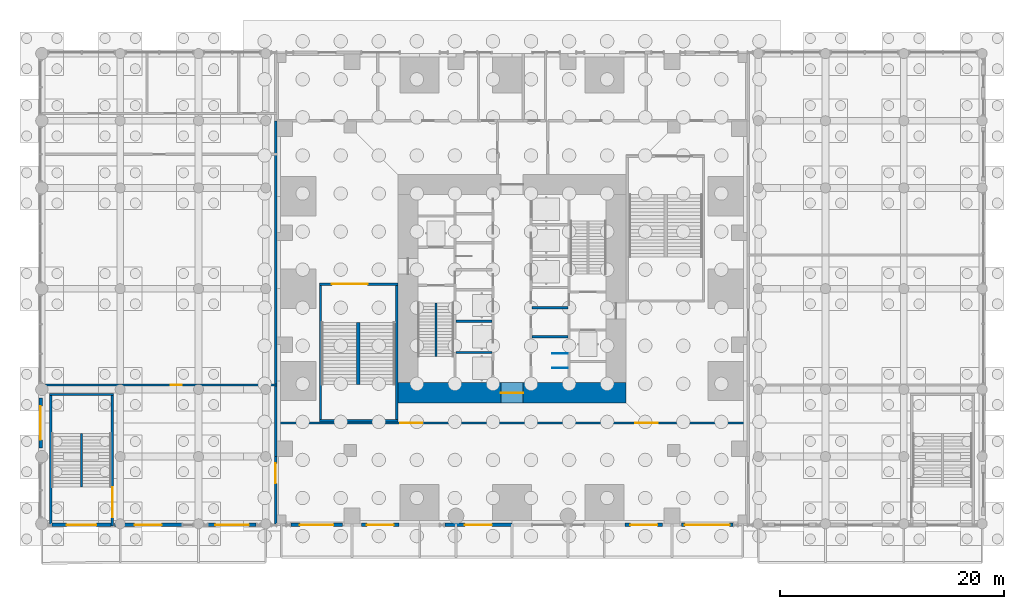
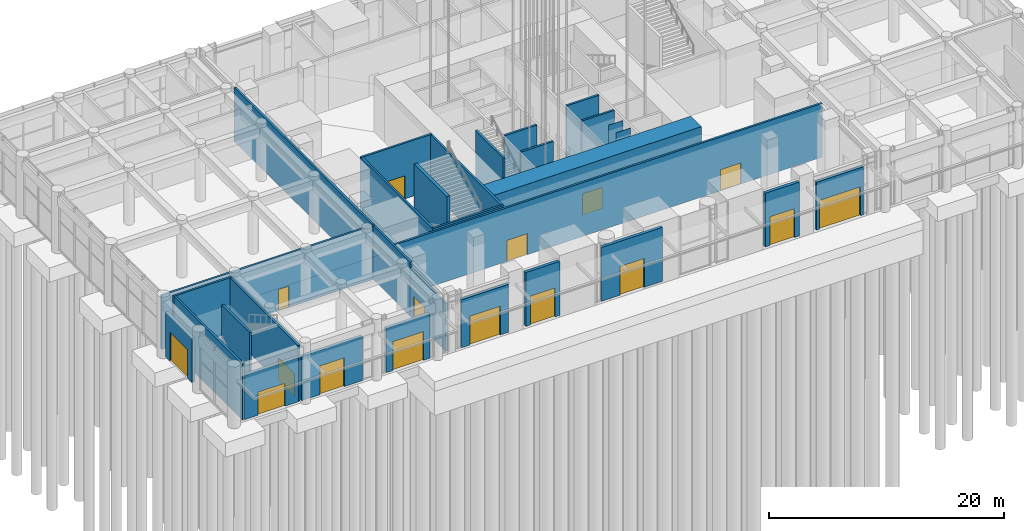
# One storey, part 22 of 46: 30 walls, 16 doors, 16 openings.
"""IFC4 building model written with IfcOpenShell, lengths in metres."""

from ifc_helpers import new_model, si_unit, direction, frame, frame_2d, origin, place, context, subcontext, project, spatial, rectangle, extrude, material, layer, layer_set, type_object, element, fill, save


model = new_model("IFC4")

# Units and contexts
model_context = context("Model", 3, precision=1e-05, world=origin(), true_north=direction((0.0, 1.0)))
body_context = subcontext(model_context, "Body", "Model", "MODEL_VIEW")
ifc_project = project(units=[si_unit("LENGTHUNIT", "METRE"), si_unit("AREAUNIT", "SQUARE_METRE"), si_unit("VOLUMEUNIT", "CUBIC_METRE"), si_unit("PLANEANGLEUNIT", "RADIAN"), si_unit("MASSUNIT", "GRAM", prefix="KILO")], contexts=[model_context])

# Site, building, storey
site_placement = place(None, origin())
site = spatial("IfcSite", under=ifc_project, at=site_placement, CompositionType="ELEMENT")
building_placement = place(site_placement, origin())
building = spatial("IfcBuilding", under=site, at=building_placement, Name="Svetlomir Tower", CompositionType="ELEMENT")
storey_placement = place(building_placement, origin())
storey = spatial("IfcBuildingStorey", under=building, at=storey_placement, Name="L00", CompositionType="ELEMENT", Elevation=0.0)

# Wall, opening, door
ifc_material_1 = material(Name="Gypsum board on twin steel studs", Category="steel")
ifc_layer_1 = layer(ifc_material_1, 0.199951171875)
ifc_layer_set_1 = layer_set([ifc_layer_1], Name="Gypsum board on twin steel studs")
wall_type_1 = type_object("IfcWallType", Name="ACOUSTIC PARTITION 200", PredefinedType="PARTITIONING", material=ifc_layer_set_1)
wall_1_placement = place(storey_placement, frame((-21.0, 12.39990234375, 0.0), z_axis=(0.0, 0.0, 1.0), x_axis=(1.0, 0.0, 0.0)))
wall_1 = element("IfcWall", 1, at=wall_1_placement, inside=storey, type_object=wall_type_1, Name="Partition L00", PredefinedType="PARTITIONING", context=body_context, shape_type="SweptSolid", body=[
    extrude(rectangle(XDim=21.0, YDim=0.199951171875, at=frame_2d((10.5, 0.0))), origin(), (0.0, 0.0, 1.0), 5.60009765625),
])
opening_1_placement = place(wall_1_placement, frame((11.5, 0.0, 0.0)))
opening_1 = element("IfcOpeningElement", 2, at=opening_1_placement, cuts=wall_1, Name="Opening DR", PredefinedType="OPENING", context=body_context, shape_type="SweptSolid", body=[
    extrude(rectangle(XDim=1.0, YDim=2.199951171875, at=frame_2d((0.5, 1.10009765625))), frame((0.0, 0.10986328125, 0.0), z_axis=(0.0, -1.0, 0.0), x_axis=(1.0, 0.0, 0.0)), (0.0, 0.0, 1.0), 0.219970703125),
])
ifc_material_2 = material(Name="Timber door, glazed side light", Category="wood")
door_type_1 = type_object("IfcDoorType", Name="DOOR DR 1000x2200", OperationType="SINGLE_SWING_LEFT", PredefinedType="DOOR", material=ifc_material_2)
door_1_placement = place(opening_1_placement, origin())
door_1 = element("IfcDoor", 3, at=door_1_placement, inside=storey, type_object=door_type_1, Name="Cafe door L00", OperationType="SINGLE_SWING_RIGHT", OverallHeight=2.199951171875, OverallWidth=1.0, PredefinedType="DOOR", context=body_context, shape_type="SweptSolid", body=[
    extrude(rectangle(XDim=1.0, YDim=2.199951171875, at=frame_2d((0.5, 1.10009765625))), frame((0.0, 0.02490234375, 0.0), z_axis=(0.0, -1.0, 0.0), x_axis=(1.0, 0.0, 0.0)), (0.0, 0.0, 1.0), 0.050048828125),
])
fill(opening_1, door_1)

# Wall, openings, doors
wall_2_placement = place(storey_placement, frame((0.0, 9.0, 0.0), z_axis=(0.0, 0.0, 1.0), x_axis=(1.0, 0.0, 0.0)))
wall_2 = element("IfcWall", 4, at=wall_2_placement, inside=storey, type_object=wall_type_1, Name="Partition L00", PredefinedType="PARTITIONING", context=body_context, shape_type="SweptSolid", body=[
    extrude(rectangle(XDim=42.0, YDim=0.199951171875, at=frame_2d((21.0, 0.0))), origin(), (0.0, 0.0, 1.0), 5.60009765625),
])
opening_2_placement = place(wall_2_placement, frame((11.0, 0.0, 0.0)))
opening_2 = element("IfcOpeningElement", 5, at=opening_2_placement, cuts=wall_2, Name="Opening DL", PredefinedType="OPENING", context=body_context, shape_type="SweptSolid", body=[
    extrude(rectangle(XDim=2.0, YDim=2.199951171875, at=frame_2d((1.0, 1.10009765625))), frame((0.0, 0.10986328125, 0.0), z_axis=(0.0, -1.0, 0.0), x_axis=(1.0, 0.0, 0.0)), (0.0, 0.0, 1.0), 0.219970703125),
])
opening_3_placement = place(wall_2_placement, frame((32.0, 0.0, 0.0)))
opening_3 = element("IfcOpeningElement", 6, at=opening_3_placement, cuts=wall_2, Name="Opening DL", PredefinedType="OPENING", context=body_context, shape_type="SweptSolid", body=[
    extrude(rectangle(XDim=2.0, YDim=2.199951171875, at=frame_2d((1.0, 1.10009765625))), frame((0.0, 0.10986328125, 0.0), z_axis=(0.0, -1.0, 0.0), x_axis=(1.0, 0.0, 0.0)), (0.0, 0.0, 1.0), 0.219970703125),
])
ifc_material_3 = material(Name="Steel fire door", Category="steel")
door_type_2 = type_object("IfcDoorType", Name="DOOR DL 2000x2200", OperationType="DOUBLE_DOOR_SINGLE_SWING", PredefinedType="DOOR", material=ifc_material_3)
door_2_placement = place(opening_2_placement, origin())
door_2 = element("IfcDoor", 7, at=door_2_placement, inside=storey, type_object=door_type_2, Name="Concourse lobby door L00", OperationType="DOUBLE_DOOR_SINGLE_SWING", OverallHeight=2.199951171875, OverallWidth=2.0, PredefinedType="DOOR", context=body_context, shape_type="SweptSolid", body=[
    extrude(rectangle(XDim=2.0, YDim=2.199951171875, at=frame_2d((1.0, 1.10009765625))), frame((0.0, 0.02490234375, 0.0), z_axis=(0.0, -1.0, 0.0), x_axis=(1.0, 0.0, 0.0)), (0.0, 0.0, 1.0), 0.050048828125),
])
fill(opening_2, door_2)
door_3_placement = place(opening_3_placement, origin())
door_3 = element("IfcDoor", 8, at=door_3_placement, inside=storey, type_object=door_type_2, Name="Concourse lobby door L00", OperationType="DOUBLE_DOOR_SINGLE_SWING", OverallHeight=2.199951171875, OverallWidth=2.0, PredefinedType="DOOR", context=body_context, shape_type="SweptSolid", body=[
    extrude(rectangle(XDim=2.0, YDim=2.199951171875, at=frame_2d((1.0, 1.10009765625))), frame((0.0, 0.02490234375, 0.0), z_axis=(0.0, -1.0, 0.0), x_axis=(1.0, 0.0, 0.0)), (0.0, 0.0, 1.0), 0.050048828125),
])
fill(opening_3, door_3)

# Walls
ifc_material_4 = material(Name="Concrete C60/75", Category="concrete")
ifc_layer_2 = layer(ifc_material_4, 0.199951171875)
ifc_layer_set_2 = layer_set([ifc_layer_2], Name="Concrete C60/75")
wall_type_2 = type_object("IfcWallType", Name="CORE INNER WALL 200", PredefinedType="SHEAR", material=ifc_layer_set_2)
for number, where, z_axis, x_axis, name in (
    (9, (16.0, 15.300048828125, 0.0), (0.0, 0.0, 1.0), (1.0, 0.0, 0.0), "Core inner wall 16-19.2/15.3 L00"),
    (10, (16.0, 18.10009765625, 0.0), (0.0, 0.0, 1.0), (1.0, 0.0, 0.0), "Core inner wall 16-19.2/18.1 L00"),
    (11, (22.800048828125, 16.699951171875, 0.0), (0.0, 0.0, 1.0), (1.0, 0.0, 0.0), "Core inner wall 22.8-26/16.7 L00"),
    (12, (22.800048828125, 19.300048828125, 0.0), (0.0, 0.0, 1.0), (1.0, 0.0, 0.0), "Core inner wall 22.8-26/19.3 L00"),
):
    element("IfcWall", number, at=place(storey_placement, frame(where, z_axis=z_axis, x_axis=x_axis)), inside=storey, type_object=wall_type_2, Name=name, PredefinedType="SHEAR", context=body_context, shape_type="SweptSolid", body=[
        extrude(rectangle(XDim=3.199951171875, YDim=0.199951171875, at=frame_2d((1.60009765625, 0.0))), origin(), (0.0, 0.0, 1.0), 5.800048828125),
    ])

# Wall, opening, door
ifc_material_5 = material(Name="Concrete C60/75", Category="concrete")
ifc_layer_3 = layer(ifc_material_5, 1.800048828125)
ifc_layer_set_3 = layer_set([ifc_layer_3], Name="Concrete C60/75")
wall_type_3 = type_object("IfcWallType", Name="CORE WALL 1800", PredefinedType="SHEAR", material=ifc_layer_set_3)
wall_3_placement = place(storey_placement, frame((10.800048828125, 11.699951171875, 0.0), z_axis=(0.0, 0.0, 1.0), x_axis=(1.0, 0.0, 0.0)))
wall_3 = element("IfcWall", 13, at=wall_3_placement, inside=storey, type_object=wall_type_3, Name="Core wall south L00", PredefinedType="SHEAR", context=body_context, shape_type="SweptSolid", body=[
    extrude(rectangle(XDim=20.39990234375, YDim=1.800048828125, at=frame_2d((10.199951171875, 0.0))), origin(), (0.0, 0.0, 1.0), 5.800048828125),
])
opening_4_placement = place(wall_3_placement, frame((9.199951171875, 0.0, 0.0)))
opening_4 = element("IfcOpeningElement", 14, at=opening_4_placement, cuts=wall_3, Name="Opening DL", PredefinedType="OPENING", context=body_context, shape_type="SweptSolid", body=[
    extrude(rectangle(XDim=2.0, YDim=2.199951171875, at=frame_2d((1.0, 1.10009765625))), frame((0.0, 0.91015625, 0.0), z_axis=(0.0, -1.0, 0.0), x_axis=(1.0, 0.0, 0.0)), (0.0, 0.0, 1.0), 1.820068359375),
])
door_4_placement = place(opening_4_placement, origin())
door_4 = element("IfcDoor", 15, at=door_4_placement, inside=storey, type_object=door_type_2, Name="Lift lobby south door L00", OperationType="DOUBLE_DOOR_SINGLE_SWING", OverallHeight=2.199951171875, OverallWidth=2.0, PredefinedType="DOOR", context=body_context, shape_type="SweptSolid", body=[
    extrude(rectangle(XDim=2.0, YDim=2.199951171875, at=frame_2d((1.0, 1.10009765625))), frame((0.0, 0.02490234375, 0.0), z_axis=(0.0, -1.0, 0.0), x_axis=(1.0, 0.0, 0.0)), (0.0, 0.0, 1.0), 0.050048828125),
])
fill(opening_4, door_4)

ifc_material_6 = material(Name="Bronze anodised aluminium glazed screen", Category="aluminium")
ifc_layer_4 = layer(ifc_material_6, 0.300048828125)
ifc_layer_set_4 = layer_set([ifc_layer_4], Name="Bronze anodised aluminium glazed screen")
wall_type_4 = type_object("IfcWallType", Name="ENTRANCE SCREEN WALL 300", PredefinedType="USERDEFINED", material=ifc_layer_set_4)
wall_4_placement = place(storey_placement, frame((-14.800048828125, -0.10009765625, 0.0), z_axis=(0.0, 0.0, 1.0), x_axis=(-1.0, 0.0, 0.0)))
wall_4 = element("IfcWall", 16, at=wall_4_placement, inside=storey, type_object=wall_type_4, Name="Stair P3 exit", ObjectType="GLAZED SCREEN", PredefinedType="USERDEFINED", context=body_context, shape_type="SweptSolid", body=[
    extrude(rectangle(XDim=5.300048828125, YDim=0.300048828125, at=frame_2d((2.64990234375, 0.0))), origin(), (0.0, 0.0, 1.0), 4.60009765625),
])
opening_5_placement = place(wall_4_placement, frame((1.324951171875, 0.0, 0.0)))
opening_5 = element("IfcOpeningElement", 17, at=opening_5_placement, cuts=wall_4, Name="Opening XS", PredefinedType="OPENING", context=body_context, shape_type="SweptSolid", body=[
    extrude(rectangle(XDim=2.64990234375, YDim=2.39990234375, at=frame_2d((1.324951171875, 1.199951171875))), frame((0.0, 0.16015625, 0.0), z_axis=(0.0, -1.0, 0.0), x_axis=(1.0, 0.0, 0.0)), (0.0, 0.0, 1.0), 0.320068359375),
])
ifc_material_7 = material(Name="Steel fire exit door", Category="steel")
door_type_3 = type_object("IfcDoorType", Name="STAIR EXIT DOOR XS 2650x2400", OperationType="DOUBLE_DOOR_SINGLE_SWING", PredefinedType="DOOR", material=ifc_material_7)
door_5_placement = place(opening_5_placement, origin())
door_5 = element("IfcDoor", 18, at=door_5_placement, inside=storey, type_object=door_type_3, Name="Stair P3 exit door", OperationType="DOUBLE_DOOR_SINGLE_SWING", OverallHeight=2.39990234375, OverallWidth=2.64990234375, PredefinedType="DOOR", context=body_context, shape_type="SweptSolid", body=[
    extrude(rectangle(XDim=2.64990234375, YDim=2.39990234375, at=frame_2d((1.324951171875, 1.199951171875))), frame((0.0, 0.02490234375, 0.0), z_axis=(0.0, -1.0, 0.0), x_axis=(1.0, 0.0, 0.0)), (0.0, 0.0, 1.0), 0.050048828125),
])
fill(opening_5, door_5)

wall_5_placement = place(storey_placement, frame((-14.5, -0.10009765625, 0.0), z_axis=(0.0, 0.0, 1.0), x_axis=(1.0, 0.0, 0.0)))
wall_5 = element("IfcWall", 19, at=wall_5_placement, inside=storey, type_object=wall_type_4, Name="Concourse south entrance west", ObjectType="GLAZED SCREEN", PredefinedType="USERDEFINED", context=body_context, shape_type="SweptSolid", body=[
    extrude(rectangle(XDim=6.0, YDim=0.300048828125, at=frame_2d((3.0, 0.0))), origin(), (0.0, 0.0, 1.0), 4.60009765625),
])
opening_6_placement = place(wall_5_placement, frame((1.800048828125, 0.0, 0.0)))
opening_6 = element("IfcOpeningElement", 20, at=opening_6_placement, cuts=wall_5, Name="Opening ED", PredefinedType="OPENING", context=body_context, shape_type="SweptSolid", body=[
    extrude(rectangle(XDim=2.39990234375, YDim=3.0, at=frame_2d((1.199951171875, 1.5))), frame((0.0, 0.16015625, 0.0), z_axis=(0.0, -1.0, 0.0), x_axis=(1.0, 0.0, 0.0)), (0.0, 0.0, 1.0), 0.320068359375),
])
ifc_material_8 = material(Name="Bronze anodised aluminium glazed door", Category="aluminium")
door_type_4 = type_object("IfcDoorType", Name="ENTRANCE DOOR ED 2400x3000", OperationType="DOUBLE_DOOR_SLIDING", PredefinedType="DOOR", material=ifc_material_8)
door_6_placement = place(opening_6_placement, origin())
door_6 = element("IfcDoor", 21, at=door_6_placement, inside=storey, type_object=door_type_4, Name="Concourse south entrance west door", OperationType="DOUBLE_DOOR_SLIDING", OverallHeight=3.0, OverallWidth=2.39990234375, PredefinedType="DOOR", context=body_context, shape_type="SweptSolid", body=[
    extrude(rectangle(XDim=2.39990234375, YDim=3.0, at=frame_2d((1.199951171875, 1.5))), frame((0.0, 0.02490234375, 0.0), z_axis=(0.0, -1.0, 0.0), x_axis=(1.0, 0.0, 0.0)), (0.0, 0.0, 1.0), 0.050048828125),
])
fill(opening_6, door_6)

wall_6_placement = place(storey_placement, frame((-6.14990234375, -0.10009765625, 0.0), z_axis=(0.0, 0.0, 1.0), x_axis=(1.0, 0.0, 0.0)))
wall_6 = element("IfcWall", 22, at=wall_6_placement, inside=storey, type_object=wall_type_4, Name="Concourse south exit 1", ObjectType="GLAZED SCREEN", PredefinedType="USERDEFINED", context=body_context, shape_type="SweptSolid", body=[
    extrude(rectangle(XDim=4.2998046875, YDim=0.300048828125, at=frame_2d((2.14990234375, 0.0))), origin(), (0.0, 0.0, 1.0), 4.60009765625),
])
opening_7_placement = place(wall_6_placement, frame((0.64990234375, 0.0, 0.0)))
opening_7 = element("IfcOpeningElement", 23, at=opening_7_placement, cuts=wall_6, Name="Opening ES", PredefinedType="OPENING", context=body_context, shape_type="SweptSolid", body=[
    extrude(rectangle(XDim=3.0, YDim=3.0, at=frame_2d((1.5, 1.5))), frame((0.0, 0.16015625, 0.0), z_axis=(0.0, -1.0, 0.0), x_axis=(1.0, 0.0, 0.0)), (0.0, 0.0, 1.0), 0.320068359375),
])
ifc_material_9 = material(Name="Bronze anodised aluminium glazed door", Category="aluminium")
door_type_5 = type_object("IfcDoorType", Name="SLIDING ENTRANCE DOOR ES 3000x3000", OperationType="DOUBLE_DOOR_SLIDING", PredefinedType="DOOR", material=ifc_material_9)
door_7_placement = place(opening_7_placement, origin())
door_7 = element("IfcDoor", 24, at=door_7_placement, inside=storey, type_object=door_type_5, Name="Concourse south exit 1 door", OperationType="DOUBLE_DOOR_SLIDING", OverallHeight=3.0, OverallWidth=3.0, PredefinedType="DOOR", context=body_context, shape_type="SweptSolid", body=[
    extrude(rectangle(XDim=3.0, YDim=3.0, at=frame_2d((1.5, 1.5))), frame((0.0, 0.02490234375, 0.0), z_axis=(0.0, -1.0, 0.0), x_axis=(1.0, 0.0, 0.0)), (0.0, 0.0, 1.0), 0.050048828125),
])
fill(opening_7, door_7)

wall_7_placement = place(storey_placement, frame((1.25, -0.10009765625, 0.0), z_axis=(0.0, 0.0, 1.0), x_axis=(1.0, 0.0, 0.0)))
wall_7 = element("IfcWall", 25, at=wall_7_placement, inside=storey, type_object=wall_type_4, Name="Concourse south exit 2", ObjectType="GLAZED SCREEN", PredefinedType="USERDEFINED", context=body_context, shape_type="SweptSolid", body=[
    extrude(rectangle(XDim=4.60009765625, YDim=0.300048828125, at=frame_2d((2.300048828125, 0.0))), origin(), (0.0, 0.0, 1.0), 4.97998046875),
])
opening_8_placement = place(wall_7_placement, frame((0.800048828125, 0.0, 0.0)))
opening_8 = element("IfcOpeningElement", 26, at=opening_8_placement, cuts=wall_7, Name="Opening ES", PredefinedType="OPENING", context=body_context, shape_type="SweptSolid", body=[
    extrude(rectangle(XDim=3.0, YDim=3.0, at=frame_2d((1.5, 1.5))), frame((0.0, 0.16015625, 0.0), z_axis=(0.0, -1.0, 0.0), x_axis=(1.0, 0.0, 0.0)), (0.0, 0.0, 1.0), 0.320068359375),
])
door_8_placement = place(opening_8_placement, origin())
door_8 = element("IfcDoor", 27, at=door_8_placement, inside=storey, type_object=door_type_5, Name="Concourse south exit 2 door", OperationType="DOUBLE_DOOR_SLIDING", OverallHeight=3.0, OverallWidth=3.0, PredefinedType="DOOR", context=body_context, shape_type="SweptSolid", body=[
    extrude(rectangle(XDim=3.0, YDim=3.0, at=frame_2d((1.5, 1.5))), frame((0.0, 0.02490234375, 0.0), z_axis=(0.0, -1.0, 0.0), x_axis=(1.0, 0.0, 0.0)), (0.0, 0.0, 1.0), 0.050048828125),
])
fill(opening_8, door_8)

wall_8_placement = place(storey_placement, frame((7.550048828125, -0.10009765625, 0.0), z_axis=(0.0, 0.0, 1.0), x_axis=(1.0, 0.0, 0.0)))
wall_8 = element("IfcWall", 28, at=wall_8_placement, inside=storey, type_object=wall_type_4, Name="Concourse south exit 3", ObjectType="GLAZED SCREEN", PredefinedType="USERDEFINED", context=body_context, shape_type="SweptSolid", body=[
    extrude(rectangle(XDim=3.349853515625, YDim=0.300048828125, at=frame_2d((1.6748046875, 0.0))), origin(), (0.0, 0.0, 1.0), 5.60009765625),
])
opening_9_placement = place(wall_8_placement, frame((0.47509765625, 0.0, 0.0)))
opening_9 = element("IfcOpeningElement", 29, at=opening_9_placement, cuts=wall_8, Name="Opening ED", PredefinedType="OPENING", context=body_context, shape_type="SweptSolid", body=[
    extrude(rectangle(XDim=2.39990234375, YDim=3.0, at=frame_2d((1.199951171875, 1.5))), frame((0.0, 0.16015625, 0.0), z_axis=(0.0, -1.0, 0.0), x_axis=(1.0, 0.0, 0.0)), (0.0, 0.0, 1.0), 0.320068359375),
])
door_9_placement = place(opening_9_placement, origin())
door_9 = element("IfcDoor", 30, at=door_9_placement, inside=storey, type_object=door_type_4, Name="Concourse south exit 3 door", OperationType="DOUBLE_DOOR_SLIDING", OverallHeight=3.0, OverallWidth=2.39990234375, PredefinedType="DOOR", context=body_context, shape_type="SweptSolid", body=[
    extrude(rectangle(XDim=2.39990234375, YDim=3.0, at=frame_2d((1.199951171875, 1.5))), frame((0.0, 0.02490234375, 0.0), z_axis=(0.0, -1.0, 0.0), x_axis=(1.0, 0.0, 0.0)), (0.0, 0.0, 1.0), 0.050048828125),
])
fill(opening_9, door_9)

wall_9_placement = place(storey_placement, frame((15.0, -0.10009765625, 0.0), z_axis=(0.0, 0.0, 1.0), x_axis=(1.0, 0.0, 0.0)))
wall_9 = element("IfcWall", 31, at=wall_9_placement, inside=storey, type_object=wall_type_4, Name="Concourse south entrance", ObjectType="GLAZED SCREEN", PredefinedType="USERDEFINED", context=body_context, shape_type="SweptSolid", body=[
    extrude(rectangle(XDim=6.0, YDim=0.300048828125, at=frame_2d((3.0, 0.0))), origin(), (0.0, 0.0, 1.0), 5.60009765625),
])
opening_10_placement = place(wall_9_placement, frame((1.800048828125, 0.0, 0.0)))
opening_10 = element("IfcOpeningElement", 32, at=opening_10_placement, cuts=wall_9, Name="Opening ED", PredefinedType="OPENING", context=body_context, shape_type="SweptSolid", body=[
    extrude(rectangle(XDim=2.39990234375, YDim=3.0, at=frame_2d((1.199951171875, 1.5))), frame((0.0, 0.16015625, 0.0), z_axis=(0.0, -1.0, 0.0), x_axis=(1.0, 0.0, 0.0)), (0.0, 0.0, 1.0), 0.320068359375),
])
door_10_placement = place(opening_10_placement, origin())
door_10 = element("IfcDoor", 33, at=door_10_placement, inside=storey, type_object=door_type_4, Name="Concourse south entrance door", OperationType="DOUBLE_DOOR_SLIDING", OverallHeight=3.0, OverallWidth=2.39990234375, PredefinedType="DOOR", context=body_context, shape_type="SweptSolid", body=[
    extrude(rectangle(XDim=2.39990234375, YDim=3.0, at=frame_2d((1.199951171875, 1.5))), frame((0.0, 0.02490234375, 0.0), z_axis=(0.0, -1.0, 0.0), x_axis=(1.0, 0.0, 0.0)), (0.0, 0.0, 1.0), 0.050048828125),
])
fill(opening_10, door_10)

wall_10_placement = place(storey_placement, frame((31.10009765625, -0.10009765625, 0.0), z_axis=(0.0, 0.0, 1.0), x_axis=(1.0, 0.0, 0.0)))
wall_10 = element("IfcWall", 34, at=wall_10_placement, inside=storey, type_object=wall_type_4, Name="Concourse south exit 4", ObjectType="GLAZED SCREEN", PredefinedType="USERDEFINED", context=body_context, shape_type="SweptSolid", body=[
    extrude(rectangle(XDim=3.349853515625, YDim=0.300048828125, at=frame_2d((1.6748046875, 0.0))), origin(), (0.0, 0.0, 1.0), 5.60009765625),
])
opening_11_placement = place(wall_10_placement, frame((0.47509765625, 0.0, 0.0)))
opening_11 = element("IfcOpeningElement", 35, at=opening_11_placement, cuts=wall_10, Name="Opening ED", PredefinedType="OPENING", context=body_context, shape_type="SweptSolid", body=[
    extrude(rectangle(XDim=2.39990234375, YDim=3.0, at=frame_2d((1.199951171875, 1.5))), frame((0.0, 0.16015625, 0.0), z_axis=(0.0, -1.0, 0.0), x_axis=(1.0, 0.0, 0.0)), (0.0, 0.0, 1.0), 0.320068359375),
])
door_11_placement = place(opening_11_placement, origin())
door_11 = element("IfcDoor", 36, at=door_11_placement, inside=storey, type_object=door_type_4, Name="Concourse south exit 4 door", OperationType="DOUBLE_DOOR_SLIDING", OverallHeight=3.0, OverallWidth=2.39990234375, PredefinedType="DOOR", context=body_context, shape_type="SweptSolid", body=[
    extrude(rectangle(XDim=2.39990234375, YDim=3.0, at=frame_2d((1.199951171875, 1.5))), frame((0.0, 0.02490234375, 0.0), z_axis=(0.0, -1.0, 0.0), x_axis=(1.0, 0.0, 0.0)), (0.0, 0.0, 1.0), 0.050048828125),
])
fill(opening_11, door_11)

wall_11_placement = place(storey_placement, frame((36.14990234375, -0.10009765625, 0.0), z_axis=(0.0, 0.0, 1.0), x_axis=(1.0, 0.0, 0.0)))
wall_11 = element("IfcWall", 37, at=wall_11_placement, inside=storey, type_object=wall_type_4, Name="Concourse south exit 5", ObjectType="GLAZED SCREEN", PredefinedType="USERDEFINED", context=body_context, shape_type="SweptSolid", body=[
    extrude(rectangle(XDim=4.60009765625, YDim=0.300048828125, at=frame_2d((2.300048828125, 0.0))), origin(), (0.0, 0.0, 1.0), 4.97998046875),
])
opening_12_placement = place(wall_11_placement, frame((0.300048828125, 0.0, 0.0)))
opening_12 = element("IfcOpeningElement", 38, at=opening_12_placement, cuts=wall_11, Name="Opening ES2", PredefinedType="OPENING", context=body_context, shape_type="SweptSolid", body=[
    extrude(rectangle(XDim=4.0, YDim=3.0, at=frame_2d((2.0, 1.5))), frame((0.0, 0.16015625, 0.0), z_axis=(0.0, -1.0, 0.0), x_axis=(1.0, 0.0, 0.0)), (0.0, 0.0, 1.0), 0.320068359375),
])
ifc_material_10 = material(Name="Bronze anodised aluminium glazed door", Category="aluminium")
door_type_6 = type_object("IfcDoorType", Name="SLIDING ENTRANCE DOOR ES2 4000x3000", OperationType="DOUBLE_DOOR_SLIDING", PredefinedType="DOOR", material=ifc_material_10)
door_12_placement = place(opening_12_placement, origin())
door_12 = element("IfcDoor", 39, at=door_12_placement, inside=storey, type_object=door_type_6, Name="Concourse south exit 5 door", OperationType="DOUBLE_DOOR_SLIDING", OverallHeight=3.0, OverallWidth=4.0, PredefinedType="DOOR", context=body_context, shape_type="SweptSolid", body=[
    extrude(rectangle(XDim=4.0, YDim=3.0, at=frame_2d((2.0, 1.5))), frame((0.0, 0.02490234375, 0.0), z_axis=(0.0, -1.0, 0.0), x_axis=(1.0, 0.0, 0.0)), (0.0, 0.0, 1.0), 0.050048828125),
])
fill(opening_12, door_12)

wall_12_placement = place(storey_placement, frame((-21.10009765625, 11.25, 0.0), z_axis=(0.0, 0.0, 1.0), x_axis=(0.0, -1.0, 0.0)))
wall_12 = element("IfcWall", 40, at=wall_12_placement, inside=storey, type_object=wall_type_4, Name="Concourse west entrance", ObjectType="GLAZED SCREEN", PredefinedType="USERDEFINED", context=body_context, shape_type="SweptSolid", body=[
    extrude(rectangle(XDim=4.5, YDim=0.300048828125, at=frame_2d((2.25, 0.0))), origin(), (0.0, 0.0, 1.0), 4.60009765625),
])
opening_13_placement = place(wall_12_placement, frame((0.75, 0.0, 0.0)))
opening_13 = element("IfcOpeningElement", 41, at=opening_13_placement, cuts=wall_12, Name="Opening ES", PredefinedType="OPENING", context=body_context, shape_type="SweptSolid", body=[
    extrude(rectangle(XDim=3.0, YDim=3.0, at=frame_2d((1.5, 1.5))), frame((0.0, 0.16015625, 0.0), z_axis=(0.0, -1.0, 0.0), x_axis=(1.0, 0.0, 0.0)), (0.0, 0.0, 1.0), 0.320068359375),
])
door_13_placement = place(opening_13_placement, origin())
door_13 = element("IfcDoor", 42, at=door_13_placement, inside=storey, type_object=door_type_5, Name="Concourse west entrance door", OperationType="DOUBLE_DOOR_SLIDING", OverallHeight=3.0, OverallWidth=3.0, PredefinedType="DOOR", context=body_context, shape_type="SweptSolid", body=[
    extrude(rectangle(XDim=3.0, YDim=3.0, at=frame_2d((1.5, 1.5))), frame((0.0, 0.02490234375, 0.0), z_axis=(0.0, -1.0, 0.0), x_axis=(1.0, 0.0, 0.0)), (0.0, 0.0, 1.0), 0.050048828125),
])
fill(opening_13, door_13)

ifc_material_11 = material(Name="Reinforced blockwork fire wall", Category="masonry")
ifc_layer_5 = layer(ifc_material_11, 0.199951171875)
ifc_layer_set_5 = layer_set([ifc_layer_5], Name="Reinforced blockwork fire wall")
wall_type_5 = type_object("IfcWallType", Name="FIRE WALL 200", PredefinedType="PARTITIONING", material=ifc_layer_set_5)
wall_13_placement = place(storey_placement, frame((-0.110107421875, 0.0, 0.0), z_axis=(0.0, 0.0, 1.0), x_axis=(0.0, 1.0, 0.0)))
wall_13 = element("IfcWall", 43, at=wall_13_placement, inside=storey, type_object=wall_type_5, Name="Fire wall L00", PredefinedType="PARTITIONING", context=body_context, shape_type="SweptSolid", body=[
    extrude(rectangle(XDim=6.0, YDim=0.199951171875, at=frame_2d((3.0, 0.0))), origin(), (0.0, 0.0, 1.0), 4.97998046875),
])
opening_14_placement = place(wall_13_placement, frame((3.60009765625, 0.0, 0.0)))
opening_14 = element("IfcOpeningElement", 44, at=opening_14_placement, cuts=wall_13, Name="Opening FD120", PredefinedType="OPENING", context=body_context, shape_type="SweptSolid", body=[
    extrude(rectangle(XDim=1.800048828125, YDim=2.39990234375, at=frame_2d((0.89990234375, 1.199951171875))), frame((0.0, 0.10986328125, 0.0), z_axis=(0.0, -1.0, 0.0), x_axis=(1.0, 0.0, 0.0)), (0.0, 0.0, 1.0), 0.219970703125),
])
ifc_material_12 = material(Name="Self-closing steel fire door", Category="steel")
door_type_7 = type_object("IfcDoorType", Name="FIRE DOOR FD120 1800x2400", OperationType="DOUBLE_DOOR_SINGLE_SWING", PredefinedType="DOOR", material=ifc_material_12)
door_14_placement = place(opening_14_placement, origin())
door_14 = element("IfcDoor", 45, at=door_14_placement, inside=storey, type_object=door_type_7, Name="Fire wall door L00", OperationType="DOUBLE_DOOR_SINGLE_SWING", OverallHeight=2.39990234375, OverallWidth=1.800048828125, PredefinedType="DOOR", context=body_context, shape_type="SweptSolid", body=[
    extrude(rectangle(XDim=1.800048828125, YDim=2.39990234375, at=frame_2d((0.89990234375, 1.199951171875))), frame((0.0, 0.02490234375, 0.0), z_axis=(0.0, -1.0, 0.0), x_axis=(1.0, 0.0, 0.0)), (0.0, 0.0, 1.0), 0.050048828125),
])
fill(opening_14, door_14)

# Walls
wall_14_placement = place(storey_placement, frame((-0.110107421875, 6.0, 0.0), z_axis=(0.0, 0.0, 1.0), x_axis=(0.0, 1.0, 0.0)))
element("IfcWall", 46, at=wall_14_placement, inside=storey, type_object=wall_type_5, Name="Fire wall L00", PredefinedType="PARTITIONING", context=body_context, shape_type="SweptSolid", body=[
    extrude(rectangle(XDim=30.0, YDim=0.199951171875, at=frame_2d((15.0, 0.0))), origin(), (0.0, 0.0, 1.0), 5.60009765625),
])
ifc_material_13 = material(Name="Concrete C60/75", Category="concrete")
ifc_layer_6 = layer(ifc_material_13, 0.199951171875)
ifc_layer_set_6 = layer_set([ifc_layer_6], Name="Concrete C60/75")
wall_type_6 = type_object("IfcWallType", Name="STAIR CORE WALL RC 200", PredefinedType="SOLIDWALL", material=ifc_layer_set_6)
wall_15_placement = place(storey_placement, frame((3.800048828125, 9.199951171875, 0.0), z_axis=(0.0, 0.0, 1.0), x_axis=(1.0, 0.0, 0.0)))
element("IfcWall", 47, at=wall_15_placement, inside=storey, type_object=wall_type_6, Name="Stair P1 enclosure wall L00", PredefinedType="SOLIDWALL", context=body_context, shape_type="SweptSolid", body=[
    extrude(rectangle(XDim=7.0, YDim=0.199951171875, at=frame_2d((3.5, 0.0))), origin(), (0.0, 0.0, 1.0), 5.800048828125),
])
wall_16_placement = place(storey_placement, frame((10.699951171875, 9.10009765625, 0.0), z_axis=(0.0, 0.0, 1.0), x_axis=(0.0, 1.0, 0.0)))
element("IfcWall", 48, at=wall_16_placement, inside=storey, type_object=wall_type_6, Name="Stair P1 enclosure wall L00", PredefinedType="SOLIDWALL", context=body_context, shape_type="SweptSolid", body=[
    extrude(rectangle(XDim=12.39990234375, YDim=0.199951171875, at=frame_2d((6.199951171875, 0.0))), origin(), (0.0, 0.0, 1.0), 5.800048828125),
])

# Wall, opening, door
wall_17_placement = place(storey_placement, frame((10.800048828125, 21.39990234375, 0.0), z_axis=(0.0, 0.0, 1.0), x_axis=(-1.0, 0.0, 0.0)))
wall_17 = element("IfcWall", 49, at=wall_17_placement, inside=storey, type_object=wall_type_6, Name="Stair P1 enclosure wall L00", PredefinedType="SOLIDWALL", context=body_context, shape_type="SweptSolid", body=[
    extrude(rectangle(XDim=7.0, YDim=0.199951171875, at=frame_2d((3.5, 0.0))), origin(), (0.0, 0.0, 1.0), 5.800048828125),
])
opening_15_placement = place(wall_17_placement, frame((2.699951171875, 0.0, 0.0)))
opening_15 = element("IfcOpeningElement", 50, at=opening_15_placement, cuts=wall_17, Name="Opening DS32", PredefinedType="OPENING", context=body_context, shape_type="SweptSolid", body=[
    extrude(rectangle(XDim=3.199951171875, YDim=2.39990234375, at=frame_2d((1.60009765625, 1.199951171875))), frame((0.0, 0.10986328125, 0.0), z_axis=(0.0, -1.0, 0.0), x_axis=(1.0, 0.0, 0.0)), (0.0, 0.0, 1.0), 0.219970703125),
])
ifc_material_14 = material(Name="Steel fire door", Category="steel")
door_type_8 = type_object("IfcDoorType", Name="STAIR DOUBLE DOOR DS 3200x2400", OperationType="DOUBLE_DOOR_SINGLE_SWING", PredefinedType="DOOR", material=ifc_material_14)
door_15_placement = place(opening_15_placement, origin())
door_15 = element("IfcDoor", 51, at=door_15_placement, inside=storey, type_object=door_type_8, Name="Stair P1 door L00", OperationType="DOUBLE_DOOR_SINGLE_SWING", OverallHeight=2.39990234375, OverallWidth=3.199951171875, PredefinedType="DOOR", context=body_context, shape_type="SweptSolid", body=[
    extrude(rectangle(XDim=3.199951171875, YDim=2.39990234375, at=frame_2d((1.60009765625, 1.199951171875))), frame((0.0, 0.02490234375, 0.0), z_axis=(0.0, -1.0, 0.0), x_axis=(1.0, 0.0, 0.0)), (0.0, 0.0, 1.0), 0.050048828125),
])
fill(opening_15, door_15)

# Wall
wall_18_placement = place(storey_placement, frame((3.89990234375, 21.5, 0.0), z_axis=(0.0, 0.0, 1.0), x_axis=(0.0, -1.0, 0.0)))
element("IfcWall", 52, at=wall_18_placement, inside=storey, type_object=wall_type_6, Name="Stair P1 enclosure wall L00", PredefinedType="SOLIDWALL", context=body_context, shape_type="SweptSolid", body=[
    extrude(rectangle(XDim=12.39990234375, YDim=0.199951171875, at=frame_2d((6.199951171875, 0.0))), origin(), (0.0, 0.0, 1.0), 5.800048828125),
])

# Wall, opening, door
wall_19_placement = place(storey_placement, frame((-14.699951171875, -0.199951171875, 0.0), z_axis=(0.0, 0.0, 1.0), x_axis=(0.0, 1.0, 0.0)))
wall_19 = element("IfcWall", 53, at=wall_19_placement, inside=storey, type_object=wall_type_6, Name="Stair P3 enclosure wall L00", PredefinedType="SOLIDWALL", context=body_context, shape_type="SweptSolid", body=[
    extrude(rectangle(XDim=11.849853515625, YDim=0.199951171875, at=frame_2d((5.9248046875, 0.0))), origin(), (0.0, 0.0, 1.0), 5.800048828125),
])
opening_16_placement = place(wall_19_placement, frame((0.800048828125, 0.0, 0.0)))
opening_16 = element("IfcOpeningElement", 54, at=opening_16_placement, cuts=wall_19, Name="Opening DS26", PredefinedType="OPENING", context=body_context, shape_type="SweptSolid", body=[
    extrude(rectangle(XDim=2.64990234375, YDim=2.39990234375, at=frame_2d((1.324951171875, 1.199951171875))), frame((0.0, 0.10986328125, 0.0), z_axis=(0.0, -1.0, 0.0), x_axis=(1.0, 0.0, 0.0)), (0.0, 0.0, 1.0), 0.219970703125),
])
ifc_material_15 = material(Name="Steel fire door", Category="steel")
door_type_9 = type_object("IfcDoorType", Name="STAIR DOUBLE DOOR DS 2650x2400", OperationType="DOUBLE_DOOR_SINGLE_SWING", PredefinedType="DOOR", material=ifc_material_15)
door_16_placement = place(opening_16_placement, origin())
door_16 = element("IfcDoor", 55, at=door_16_placement, inside=storey, type_object=door_type_9, Name="Stair P3 door L00", OperationType="DOUBLE_DOOR_SINGLE_SWING", OverallHeight=2.39990234375, OverallWidth=2.64990234375, PredefinedType="DOOR", context=body_context, shape_type="SweptSolid", body=[
    extrude(rectangle(XDim=2.64990234375, YDim=2.39990234375, at=frame_2d((1.324951171875, 1.199951171875))), frame((0.0, 0.02490234375, 0.0), z_axis=(0.0, -1.0, 0.0), x_axis=(1.0, 0.0, 0.0)), (0.0, 0.0, 1.0), 0.050048828125),
])
fill(opening_16, door_16)

# Walls
wall_20_placement = place(storey_placement, frame((-14.60009765625, 11.550048828125, 0.0), z_axis=(0.0, 0.0, 1.0), x_axis=(-1.0, 0.0, 0.0)))
element("IfcWall", 56, at=wall_20_placement, inside=storey, type_object=wall_type_6, Name="Stair P3 enclosure wall L00", PredefinedType="SOLIDWALL", context=body_context, shape_type="SweptSolid", body=[
    extrude(rectangle(XDim=5.699951171875, YDim=0.199951171875, at=frame_2d((2.85009765625, 0.0))), origin(), (0.0, 0.0, 1.0), 5.800048828125),
])
wall_21_placement = place(storey_placement, frame((-20.199951171875, 11.64990234375, 0.0), z_axis=(0.0, 0.0, 1.0), x_axis=(0.0, -1.0, 0.0)))
element("IfcWall", 57, at=wall_21_placement, inside=storey, type_object=wall_type_6, Name="Stair P3 enclosure wall L00", PredefinedType="SOLIDWALL", context=body_context, shape_type="SweptSolid", body=[
    extrude(rectangle(XDim=11.849853515625, YDim=0.199951171875, at=frame_2d((5.9248046875, 0.0))), origin(), (0.0, 0.0, 1.0), 5.800048828125),
])
ifc_material_16 = material(Name="Concrete C60/75", Category="concrete")
ifc_layer_7 = layer(ifc_material_16, 0.199951171875)
ifc_layer_set_7 = layer_set([ifc_layer_7], Name="Concrete C60/75")
wall_type_7 = type_object("IfcWallType", Name="STAIR SPINE WALL 200", PredefinedType="PARTITIONING", material=ifc_layer_set_7)
for number, where, z_axis, x_axis, name in (
    (58, (14.199951171875, 14.93994140625, 0.0), (0.0, 0.0, 1.0), (0.0, 1.0, 0.0), "Stair S1 spine wall L00"),
    (59, (-17.449951171875, 3.300048828125, 0.0), (0.0, 0.0, 1.0), (0.0, 1.0, 0.0), "Stair P3 spine wall L00"),
):
    element("IfcWall", number, at=place(storey_placement, frame(where, z_axis=z_axis, x_axis=x_axis)), inside=storey, type_object=wall_type_7, Name=name, PredefinedType="PARTITIONING", context=body_context, shape_type="SweptSolid", body=[
        extrude(rectangle(XDim=4.760009765625, YDim=0.199951171875, at=frame_2d((2.3798828125, 0.0))), origin(), (0.0, 0.0, 1.0), 6.0),
    ])
ifc_material_17 = material(Name="Concrete C60/75", Category="concrete")
ifc_layer_8 = layer(ifc_material_17, 0.300048828125)
ifc_layer_set_8 = layer_set([ifc_layer_8], Name="Concrete C60/75")
wall_type_8 = type_object("IfcWallType", Name="STAIR SPINE WALL 300", PredefinedType="PARTITIONING", material=ifc_layer_set_8)
wall_22_placement = place(storey_placement, frame((7.25, 12.419921875, 0.0), z_axis=(0.0, 0.0, 1.0), x_axis=(0.0, 1.0, 0.0)))
element("IfcWall", 60, at=wall_22_placement, inside=storey, type_object=wall_type_8, Name="Stair P1 spine wall L00", PredefinedType="PARTITIONING", context=body_context, shape_type="SweptSolid", body=[
    extrude(rectangle(XDim=5.580078125, YDim=0.300048828125, at=frame_2d((2.7900390625, 0.0))), origin(), (0.0, 0.0, 1.0), 6.0),
])
ifc_material_18 = material(Name="Compact laminate panel", Category="plastic")
ifc_layer_9 = layer(ifc_material_18, 0.030029296875)
ifc_layer_set_9 = layer_set([ifc_layer_9], Name="Compact laminate panel")
wall_type_9 = type_object("IfcWallType", Name="WC CUBICLE PARTITION 30", PredefinedType="PARTITIONING", material=ifc_layer_set_9)
for number, where, z_axis, x_axis, name in (
    (61, (24.60009765625, 13.89990234375, 0.0), (0.0, 0.0, 1.0), (1.0, 0.0, 0.0), "WC cubicle partition L00"),
    (62, (24.60009765625, 15.199951171875, 0.0), (0.0, 0.0, 1.0), (1.0, 0.0, 0.0), "WC cubicle partition L00"),
):
    element("IfcWall", number, at=place(storey_placement, frame(where, z_axis=z_axis, x_axis=x_axis)), inside=storey, type_object=wall_type_9, Name=name, PredefinedType="PARTITIONING", context=body_context, shape_type="SweptSolid", body=[
        extrude(rectangle(XDim=1.39990234375, YDim=0.030029296875, at=frame_2d((0.699951171875, 0.0))), origin(), (0.0, 0.0, 1.0), 5.60009765625),
    ])

save(model, "model.ifc")
